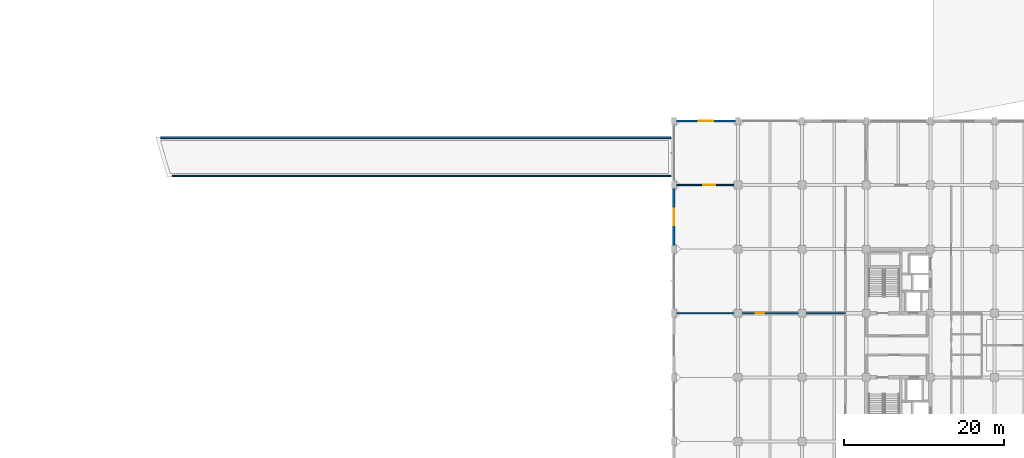
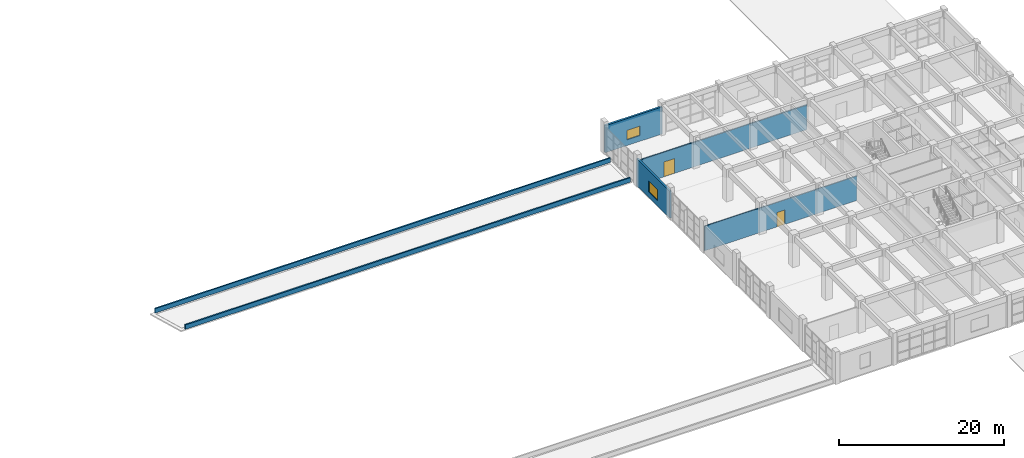
# One storey, part 51 of 63: 6 walls, 2 doors, 2 windows, 4 openings.
"""IFC4 building model written with IfcOpenShell, lengths in metres."""

import ifcopenshell
import ifcopenshell.guid

model = None  # the IFC model being written
_history = None  # IfcOwnerHistory: only IFC2X3 demands one
_inside = {}  # id of a spatial element -> (the spatial element, [elements in it])
_under = {}  # id of a project, library or spatial element -> (it, [spatial elements below it])
_declared = {}  # id of a project -> (the project, [libraries it declares])
_typed = {}  # id of a type object -> (the type object, [elements of that type])
_made_of = {}  # id of a material, layer set ... -> (it, [elements and type objects made of it])


def new_model(schema):
    """Start an empty IFC model of exactly this schema.

    Asked for "IFC4X3", IfcOpenShell would pick the latest addendum, in which some entities
    have other attributes; the version numbers below select the first issue.
    IFC2X3 requires an IfcOwnerHistory on every rooted entity: one is made here for all.
    """
    global model, _history
    if schema == "IFC4X3":
        model = ifcopenshell.file(schema_version=(4, 3, 0, 0))
    else:
        model = ifcopenshell.file(schema=schema)
    _inside.clear()
    _under.clear()
    _declared.clear()
    _typed.clear()
    _made_of.clear()
    _history = None
    if model.schema == "IFC2X3":
        org = make("IfcOrganization", Name="unknown")
        user = make(
            "IfcPersonAndOrganization",
            ThePerson=make("IfcPerson", FamilyName="unknown"),
            TheOrganization=org,
        )
        app = make(
            "IfcApplication",
            ApplicationDeveloper=org,
            Version="unknown",
            ApplicationFullName="unknown",
            ApplicationIdentifier="unknown",
        )
        _history = make(
            "IfcOwnerHistory",
            OwningUser=user,
            OwningApplication=app,
            ChangeAction="ADDED",
            CreationDate=0,
        )
    return model


def make(cls, **values):
    """One entity of the class cls with the attributes given. An attribute that is None is left unset."""
    return model.create_entity(
        cls, **{name: value for name, value in values.items() if value is not None}
    )


def rooted(cls, **values):
    """An entity with a GlobalId (a new one), such as an element, a storey or a relation."""
    return make(cls, GlobalId=ifcopenshell.guid.new(), OwnerHistory=_history, **values)


def si_unit(unit_type, name, prefix=None):
    """IfcSIUnit, for example si_unit("LENGTHUNIT", "METRE", prefix="MILLI")."""
    return make("IfcSIUnit", UnitType=unit_type, Prefix=prefix, Name=name)


def assignment(units):
    """IfcUnitAssignment: the units of a project."""
    return None if units is None else make("IfcUnitAssignment", Units=units)


def point(xyz):
    """IfcCartesianPoint."""
    return None if xyz is None else make("IfcCartesianPoint", Coordinates=xyz)


def direction(xyz):
    """IfcDirection."""
    return None if xyz is None else make("IfcDirection", DirectionRatios=xyz)


def frame(location, z_axis=None, x_axis=None):
    """IfcAxis2Placement3D, a coordinate frame: its origin and axes. An axis left out is left unset."""
    return make(
        "IfcAxis2Placement3D",
        Location=point(location),
        Axis=direction(z_axis),
        RefDirection=direction(x_axis),
    )


def frame_2d(location, x_axis=None):
    """IfcAxis2Placement2D, a coordinate frame in the plane: its origin and x axis."""
    return make(
        "IfcAxis2Placement2D", Location=point(location), RefDirection=direction(x_axis)
    )


def origin():
    """The frame at (0, 0, 0) with its axes left unset."""
    return frame((0.0, 0.0, 0.0))


def place(relative_to, where):
    """IfcLocalPlacement: puts the frame where relative to a parent placement (None: the world)."""
    return make(
        "IfcLocalPlacement", PlacementRelTo=relative_to, RelativePlacement=where
    )


def context(
    kind, dimensions, precision=None, world=None, true_north=None, identifier=None
):
    """IfcGeometricRepresentationContext, for example the 3D "Model" context."""
    return make(
        "IfcGeometricRepresentationContext",
        ContextIdentifier=identifier,
        ContextType=kind,
        CoordinateSpaceDimension=dimensions,
        Precision=precision,
        WorldCoordinateSystem=world,
        TrueNorth=true_north,
    )


def subcontext(parent, identifier, kind, view, scale=None):
    """IfcGeometricRepresentationSubContext, for example "Body" below "Model"."""
    return make(
        "IfcGeometricRepresentationSubContext",
        ContextIdentifier=identifier,
        ContextType=kind,
        ParentContext=parent,
        TargetScale=scale,
        TargetView=view,
    )


def project(units=None, contexts=None):
    """IfcProject with its units and contexts."""
    return rooted(
        "IfcProject",
        Name="project",
        RepresentationContexts=contexts,
        UnitsInContext=assignment(units),
    )


def spatial(cls, under=None, at=None, **own):
    """A site, building, storey or space (cls), placed at a placement, below another one or the project."""
    s = rooted(cls, ObjectPlacement=at, **own)
    if under is not None:
        _under.setdefault(under.id(), (under, []))[1].append(s)
    return s


def profile(cls, at=None, kind="AREA", **sizes):
    """A parametric profile (cls). Its sizes go by their IFC names, for example OverallWidth=200.0."""
    return make(cls, ProfileType=kind, Position=at, **sizes)


def rectangle(**sizes):
    """IfcRectangleProfileDef."""
    return profile("IfcRectangleProfileDef", **sizes)


def extrude(swept, where, along, depth):
    """IfcExtrudedAreaSolid: the profile swept, set in the frame where, extruded along a direction by depth."""
    return make(
        "IfcExtrudedAreaSolid",
        SweptArea=swept,
        Position=where,
        ExtrudedDirection=direction(along),
        Depth=depth,
    )


def shape(context_of_items, identifier, shape_type, items):
    """IfcShapeRepresentation: the items that make up one representation, for example the "Body"."""
    return make(
        "IfcShapeRepresentation",
        ContextOfItems=context_of_items,
        RepresentationIdentifier=identifier,
        RepresentationType=shape_type,
        Items=items,
    )


def material(Name=None, Category=None):
    """IfcMaterial."""
    return make("IfcMaterial", Name=Name, Category=Category)


def layer(
    of_material, thickness, ventilated=None, Name=None, Category=None, Priority=None
):
    """IfcMaterialLayer: one layer of a wall or slab, of a material (None: an air gap)."""
    return make(
        "IfcMaterialLayer",
        Material=of_material,
        LayerThickness=thickness,
        IsVentilated=ventilated,
        Name=Name,
        Category=Category,
        Priority=Priority,
    )


def layer_set(layers, Name=None):
    """IfcMaterialLayerSet."""
    return make("IfcMaterialLayerSet", MaterialLayers=layers, LayerSetName=Name)


def made_of(thing, what):
    """Note that an element or type object is made of a material, layer set ...; save() writes the relation."""
    if what is not None:
        _made_of.setdefault(what.id(), (what, []))[1].append(thing)
    return thing


def type_object(cls, material=None, **own):
    """A type object (cls), such as IfcWallType, which elements share."""
    return made_of(rooted(cls, **own), material)


def element(
    cls,
    number,
    at=None,
    inside=None,
    cuts=None,
    type_object=None,
    material=None,
    context=None,
    identifier="Body",
    shape_type=None,
    held_by="IfcProductDefinitionShape",
    body=None,
    shapes=None,
    **own,
):
    """One element of the class cls, such as IfcWall. Its Tag is "e" and its number.

    at: its placement. inside: the storey or other place that contains it. cuts: it is an
    opening in that element (IfcRelVoidsElement). A single representation is given by context,
    identifier, shape_type and body (its items); several are given by shapes. held_by: the class
    of the entity that holds the representations. save() writes the other relations.
    """
    e = rooted(cls, Tag="e%d" % number, ObjectPlacement=at, **own)
    if body is not None:
        shapes = [shape(context, identifier, shape_type, body)]
    if shapes is not None:
        e.Representation = make(held_by, Representations=shapes)
    if inside is not None:
        _inside.setdefault(inside.id(), (inside, []))[1].append(e)
    if cuts is not None:
        rooted(
            "IfcRelVoidsElement", RelatingBuildingElement=cuts, RelatedOpeningElement=e
        )
    if type_object is not None:
        _typed.setdefault(type_object.id(), (type_object, []))[1].append(e)
    return made_of(e, material)


def fill(opening, filler):
    """IfcRelFillsElement: the door or window that sits in an opening."""
    return rooted(
        "IfcRelFillsElement",
        RelatingOpeningElement=opening,
        RelatedBuildingElement=filler,
    )


def aggregate(whole, parts):
    """IfcRelAggregates: a whole, such as a stair, and the parts it consists of."""
    return rooted("IfcRelAggregates", RelatingObject=whole, RelatedObjects=parts)


def save(model, path):
    """Write the relations noted so far, then the file.

    IfcRelAggregates (storeys below a building ...), IfcRelContainedInSpatialStructure (elements
    in a storey), IfcRelDefinesByType, IfcRelAssociatesMaterial and IfcRelDeclares: one each for
    every whole, place, type object, material and project.
    """
    for whole, parts in _under.values():
        aggregate(whole, parts)
    for where, things in _inside.values():
        rooted(
            "IfcRelContainedInSpatialStructure",
            RelatedElements=things,
            RelatingStructure=where,
        )
    for kind, things in _typed.values():
        rooted("IfcRelDefinesByType", RelatedObjects=things, RelatingType=kind)
    for what, things in _made_of.values():
        rooted("IfcRelAssociatesMaterial", RelatedObjects=things, RelatingMaterial=what)
    for by, libraries in _declared.values():
        rooted("IfcRelDeclares", RelatingContext=by, RelatedDefinitions=libraries)
    model.write(path)


model = new_model("IFC4")

# Units and contexts
model_context = context("Model", 3, precision=1e-05, world=origin(), true_north=direction((0.0, 1.0)))
body_context = subcontext(model_context, "Body", "Model", "MODEL_VIEW")
ifc_project = project(units=[si_unit("LENGTHUNIT", "METRE"), si_unit("AREAUNIT", "SQUARE_METRE"), si_unit("VOLUMEUNIT", "CUBIC_METRE"), si_unit("PLANEANGLEUNIT", "RADIAN"), si_unit("MASSUNIT", "GRAM", prefix="KILO")], contexts=[model_context])

# Site, building, storey
site_placement = place(None, origin())
site = spatial("IfcSite", under=ifc_project, at=site_placement, CompositionType="ELEMENT")
building_placement = place(site_placement, origin())
building = spatial("IfcBuilding", under=site, at=building_placement, Name="Canggui Botanical Conservatory", CompositionType="ELEMENT")
storey_placement = place(building_placement, frame((0.0, 0.0, 10.199951171875)))
storey = spatial("IfcBuildingStorey", under=building, at=storey_placement, Name="L03", CompositionType="ELEMENT", Elevation=10.199951171875)

# Wall, opening, window
ifc_material_1 = material(Name="Precast Concrete C40", Category="concrete")
ifc_layer_1 = layer(ifc_material_1, 0.280029296875, Name="Precast Concrete C40", Category="concrete")
ifc_layer_set_1 = layer_set([ifc_layer_1], Name="Precast Concrete C40")
wall_type_1 = type_object("IfcWallType", Name="EW-280", PredefinedType="STANDARD", material=ifc_layer_set_1)
wall_1_placement = place(storey_placement, frame((130.0, 66.0, 0.0), z_axis=(0.0, 0.0, 1.0), x_axis=(0.0, 1.0, 0.0)))
wall_1 = element("IfcWall", 1, at=wall_1_placement, inside=storey, type_object=wall_type_1, Name="Tower Insulated Exterior Wall L03-W12", PredefinedType="STANDARD", context=body_context, shape_type="SweptSolid", body=[
    extrude(rectangle(XDim=8.0, YDim=0.280029296875, at=frame_2d((4.0, 0.0))), origin(), (0.0, 0.0, 1.0), 4.0),
])
opening_1_placement = place(wall_1_placement, frame((2.949951171875, 0.0, 0.85009765625)))
opening_1 = element("IfcOpeningElement", 2, at=opening_1_placement, cuts=wall_1, Name="Opening W-02", PredefinedType="OPENING", context=body_context, shape_type="SweptSolid", body=[
    extrude(rectangle(XDim=2.10009765625, YDim=1.60009765625, at=frame_2d((1.050048828125, 0.800048828125))), frame((0.0, 0.14990234375, 0.0), z_axis=(0.0, -1.0, 0.0), x_axis=(1.0, 0.0, 0.0)), (0.0, 0.0, 1.0), 0.300048828125),
])
ifc_material_2 = material(Name="Low-E Insulated Glass", Category="glass")
window_type_1 = type_object("IfcWindowType", Name="WIN-02", PartitioningType="DOUBLE_PANEL_VERTICAL", PredefinedType="WINDOW", material=ifc_material_2)
window_1_placement = place(opening_1_placement, origin())
window_1 = element("IfcWindow", 3, at=window_1_placement, inside=storey, type_object=window_type_1, Name="Tower Window L03-12", OverallHeight=1.60009765625, OverallWidth=2.10009765625, PartitioningType="SINGLE_PANEL", PredefinedType="WINDOW", context=body_context, shape_type="SweptSolid", body=[
    extrude(rectangle(XDim=2.10009765625, YDim=1.60009765625, at=frame_2d((1.050048828125, 0.800048828125))), frame((0.0, 0.030029296875, 0.0), z_axis=(0.0, -1.0, 0.0), x_axis=(1.0, 0.0, 0.0)), (0.0, 0.0, 1.0), 0.06005859375),
])
fill(opening_1, window_1)

wall_2_placement = place(storey_placement, frame((130.0, 82.0, 0.0), z_axis=(0.0, 0.0, 1.0), x_axis=(1.0, 0.0, 0.0)))
wall_2 = element("IfcWall", 4, at=wall_2_placement, inside=storey, type_object=wall_type_1, Name="Tower Insulated Exterior Wall L03-N14", PredefinedType="STANDARD", context=body_context, shape_type="SweptSolid", body=[
    extrude(rectangle(XDim=8.0, YDim=0.280029296875, at=frame_2d((4.0, 0.0))), origin(), (0.0, 0.0, 1.0), 4.0),
])
opening_2_placement = place(wall_2_placement, frame((3.10009765625, 0.0, 0.85009765625)))
opening_2 = element("IfcOpeningElement", 5, at=opening_2_placement, cuts=wall_2, Name="Opening W-03", PredefinedType="OPENING", context=body_context, shape_type="SweptSolid", body=[
    extrude(rectangle(XDim=1.800048828125, YDim=1.39990234375, at=frame_2d((0.89990234375, 0.699951171875))), frame((0.0, 0.14990234375, 0.0), z_axis=(0.0, -1.0, 0.0), x_axis=(1.0, 0.0, 0.0)), (0.0, 0.0, 1.0), 0.300048828125),
])
window_type_2 = type_object("IfcWindowType", Name="WIN-03", PartitioningType="DOUBLE_PANEL_VERTICAL", PredefinedType="WINDOW", material=ifc_material_2)
window_2_placement = place(opening_2_placement, origin())
window_2 = element("IfcWindow", 6, at=window_2_placement, inside=storey, type_object=window_type_2, Name="Tower Window L03-14", OverallHeight=1.39990234375, OverallWidth=1.800048828125, PartitioningType="SINGLE_PANEL", PredefinedType="WINDOW", context=body_context, shape_type="SweptSolid", body=[
    extrude(rectangle(XDim=1.800048828125, YDim=1.39990234375, at=frame_2d((0.89990234375, 0.699951171875))), frame((0.0, 0.030029296875, 0.0), z_axis=(0.0, -1.0, 0.0), x_axis=(1.0, 0.0, 0.0)), (0.0, 0.0, 1.0), 0.06005859375),
])
fill(opening_2, window_2)

# Wall, opening, door
ifc_material_3 = material(Name="Gypsum Plasterboard Partition")
ifc_layer_2 = layer(ifc_material_3, 0.175048828125, Name="Gypsum Plasterboard Partition")
ifc_layer_set_2 = layer_set([ifc_layer_2], Name="Gypsum Plasterboard Partition")
wall_type_2 = type_object("IfcWallType", Name="IW-CORR-175", PredefinedType="STANDARD", material=ifc_layer_set_2)
wall_3_placement = place(storey_placement, frame((130.35009765625, 74.0, 0.0), z_axis=(0.0, 0.0, 1.0), x_axis=(1.0, 0.0, 0.0)))
wall_3 = element("IfcWall", 7, at=wall_3_placement, inside=storey, type_object=wall_type_2, Name="L03 Type Specimen Safe Vault North Suite Wall", PredefinedType="STANDARD", context=body_context, shape_type="SweptSolid", body=[
    extrude(rectangle(XDim=23.2998046875, YDim=0.175048828125, at=frame_2d((11.64990234375, 0.0))), origin(), (0.0, 0.0, 1.0), 3.630126953125),
])
opening_3_placement = place(wall_3_placement, frame((3.300048828125, 0.0, 0.0)))
opening_3 = element("IfcOpeningElement", 8, at=opening_3_placement, cuts=wall_3, Name="Opening FD-13", PredefinedType="OPENING", context=body_context, shape_type="SweptSolid", body=[
    extrude(rectangle(XDim=1.5, YDim=2.199951171875, at=frame_2d((0.75, 1.10009765625))), frame((0.0, 0.09765625, 0.0), z_axis=(0.0, -1.0, 0.0), x_axis=(1.0, 0.0, 0.0)), (0.0, 0.0, 1.0), 0.195068359375),
])
ifc_material_4 = material(Name="Powder-Coated Steel", Category="steel")
door_type_1 = type_object("IfcDoorType", Name="FD-13", OperationType="NOTDEFINED", PredefinedType="DOOR", material=ifc_material_4)
door_1_placement = place(opening_3_placement, origin())
door_1 = element("IfcDoor", 9, at=door_1_placement, inside=storey, type_object=door_type_1, Name="Interior Door IW-L03-NCOR-1", OperationType="SINGLE_SWING_LEFT", OverallHeight=2.199951171875, OverallWidth=1.5, PredefinedType="DOOR", context=body_context, shape_type="SweptSolid", body=[
    extrude(rectangle(XDim=1.5, YDim=2.199951171875, at=frame_2d((0.75, 1.10009765625))), frame((0.0, 0.02490234375, 0.0), z_axis=(0.0, -1.0, 0.0), x_axis=(1.0, 0.0, 0.0)), (0.0, 0.0, 1.0), 0.050048828125),
])
fill(opening_3, door_1)

ifc_layer_3 = layer(ifc_material_3, 0.139892578125, Name="Gypsum Plasterboard Partition")
ifc_layer_set_3 = layer_set([ifc_layer_3], Name="Gypsum Plasterboard Partition")
wall_type_3 = type_object("IfcWallType", Name="IW-PART-140", PredefinedType="STANDARD", material=ifc_layer_set_3)
wall_4_placement = place(storey_placement, frame((130.1201171875, 58.0, 0.0), z_axis=(0.0, 0.0, 1.0), x_axis=(1.0, 0.0, 0.0)))
wall_4 = element("IfcWall", 10, at=wall_4_placement, inside=storey, type_object=wall_type_3, Name="L03 Herbarium Mobile Compactor Archive Cross Partition", PredefinedType="STANDARD", context=body_context, shape_type="SweptSolid", body=[
    extrude(rectangle(XDim=21.27978515625, YDim=0.139892578125, at=frame_2d((10.639892578125, 0.0))), origin(), (0.0, 0.0, 1.0), 3.630126953125),
])
opening_4_placement = place(wall_4_placement, frame((10.110107421875, 0.0, 0.0)))
opening_4 = element("IfcOpeningElement", 11, at=opening_4_placement, cuts=wall_4, Name="Opening ID-05", PredefinedType="OPENING", context=body_context, shape_type="SweptSolid", body=[
    extrude(rectangle(XDim=1.06005859375, YDim=2.1201171875, at=frame_2d((0.530029296875, 1.06005859375))), frame((0.0, 0.080078125, 0.0), z_axis=(0.0, -1.0, 0.0), x_axis=(1.0, 0.0, 0.0)), (0.0, 0.0, 1.0), 0.159912109375),
])
ifc_material_5 = material(Name="Engineered Timber Veneer", Category="wood")
door_type_2 = type_object("IfcDoorType", Name="ID-05", OperationType="NOTDEFINED", PredefinedType="DOOR", material=ifc_material_5)
door_2_placement = place(opening_4_placement, origin())
door_2 = element("IfcDoor", 12, at=door_2_placement, inside=storey, type_object=door_type_2, Name="L03 Herbarium Mobile Compactor Archive Interconnecting Door", OperationType="SINGLE_SWING_LEFT", OverallHeight=2.1201171875, OverallWidth=1.06005859375, PredefinedType="DOOR", context=body_context, shape_type="SweptSolid", body=[
    extrude(rectangle(XDim=1.06005859375, YDim=2.1201171875, at=frame_2d((0.530029296875, 1.06005859375))), frame((0.0, 0.02490234375, 0.0), z_axis=(0.0, -1.0, 0.0), x_axis=(1.0, 0.0, 0.0)), (0.0, 0.0, 1.0), 0.050048828125),
])
fill(opening_4, door_2)

# Walls
ifc_layer_4 = layer(ifc_material_1, 0.199951171875, Name="Precast Concrete C40", Category="concrete")
ifc_layer_set_4 = layer_set([ifc_layer_4], Name="Precast Concrete C40")
wall_type_4 = type_object("IfcWallType", Name="PAR-200", PredefinedType="PARAPET", material=ifc_layer_set_4)
wall_5_placement = place(storey_placement, frame((67.429931640625, 75.10009765625, 0.0), z_axis=(0.0, 0.0, 1.0), x_axis=(1.0, 0.0, 0.0)))
element("IfcWall", 13, at=wall_5_placement, inside=storey, type_object=wall_type_4, Name="SB-04 South Roof Parapet", PredefinedType="PARAPET", context=body_context, shape_type="SweptSolid", body=[
    extrude(rectangle(XDim=62.170166015625, YDim=0.199951171875, at=frame_2d((31.0849609375, 0.0))), origin(), (0.0, 0.0, 1.0), 0.650146484375),
])
wall_6_placement = place(storey_placement, frame((129.60009765625, 79.89990234375, 0.0), z_axis=(0.0, 0.0, 1.0), x_axis=(-1.0, 0.0, 0.0)))
element("IfcWall", 14, at=wall_6_placement, inside=storey, type_object=wall_type_4, Name="SB-04 North Roof Parapet", PredefinedType="PARAPET", context=body_context, shape_type="SweptSolid", body=[
    extrude(rectangle(XDim=63.630126953125, YDim=0.199951171875, at=frame_2d((31.81494140625, 0.0))), origin(), (0.0, 0.0, 1.0), 0.650146484375),
])

save(model, "model.ifc")
